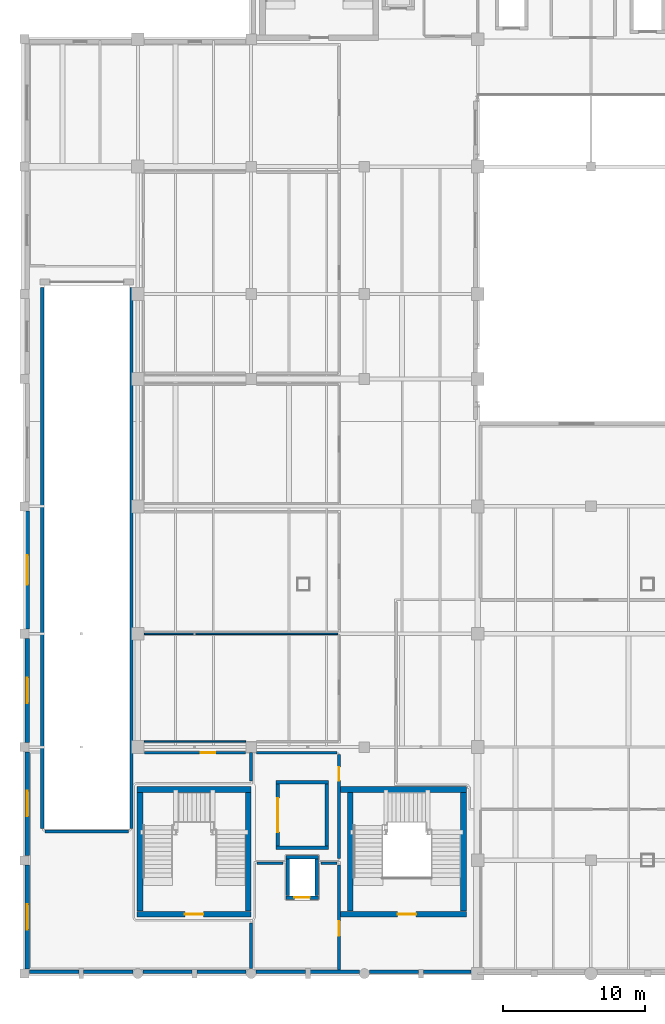
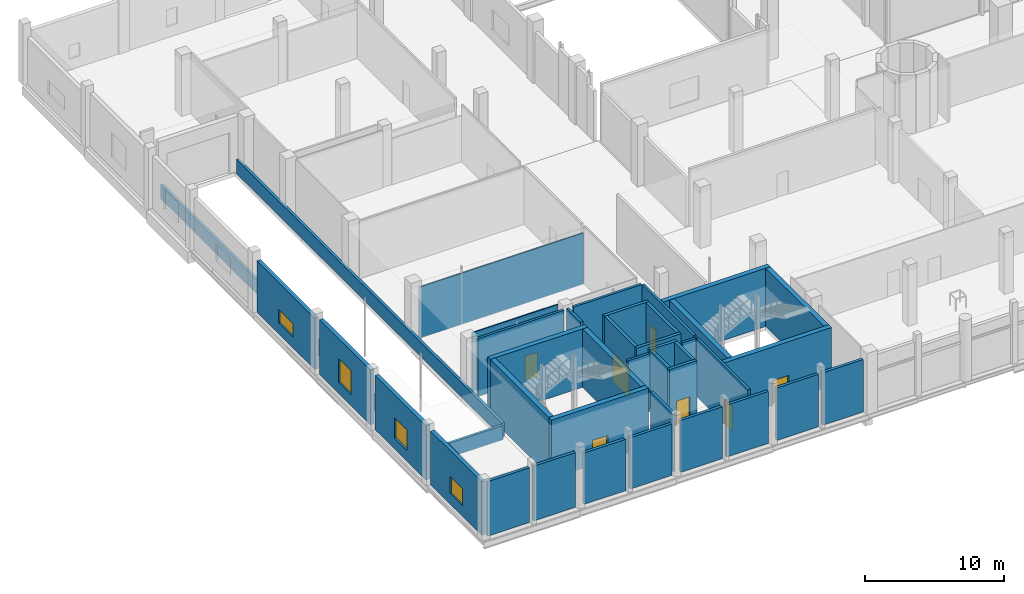
# One storey, part 37 of 57: 41 walls, 7 doors, 4 windows, 11 openings.
"""IFC4 building model written with IfcOpenShell, lengths in metres."""

from ifc_helpers import new_model, si_unit, derived_unit, direction, frame, frame_2d, origin, place, context, subcontext, project, spatial, rectangle, extrude, material, layer, layer_set, type_object, element, fill, save


model = new_model("IFC4")

# Units and contexts
model_context = context("Model", 3, precision=1e-05, world=origin(), true_north=direction((0.0, 1.0)))
body_context = subcontext(model_context, "Body", "Model", "MODEL_VIEW")
ifc_project = project(units=[si_unit("LENGTHUNIT", "METRE"), si_unit("AREAUNIT", "SQUARE_METRE"), si_unit("VOLUMEUNIT", "CUBIC_METRE"), si_unit("PLANEANGLEUNIT", "RADIAN"), si_unit("MASSUNIT", "GRAM", prefix="KILO"), derived_unit("THERMALTRANSMITTANCEUNIT", [(si_unit("POWERUNIT", "WATT"), 1), (si_unit("LENGTHUNIT", "METRE"), -2), (si_unit("THERMODYNAMICTEMPERATUREUNIT", "KELVIN"), -1)])], contexts=[model_context])

# Site, building, storey
site_placement = place(None, origin())
site = spatial("IfcSite", under=ifc_project, at=site_placement, CompositionType="ELEMENT")
building_placement = place(site_placement, origin())
building = spatial("IfcBuilding", under=site, at=building_placement, Name="Nallur Shell Playhouse", CompositionType="ELEMENT")
storey_placement = place(building_placement, origin())
storey = spatial("IfcBuildingStorey", under=building, at=storey_placement, Name="L01", CompositionType="ELEMENT", Elevation=0.0)

# Wall, opening, door
ifc_material_1 = material(Name="Concrete M45", Category="concrete")
ifc_layer_1 = layer(ifc_material_1, 0.39990234375)
ifc_layer_set_1 = layer_set([ifc_layer_1], Name="Concrete M45")
wall_type_1 = type_object("IfcWallType", Name="WL-CORE-400", PredefinedType="SHEAR", material=ifc_layer_set_1)
wall_1_placement = place(storey_placement, frame((30.303955078125, 12.199951171875, 0.0), z_axis=(0.0, 0.0, 1.0), x_axis=(1.0, 0.0, 0.0)))
wall_1 = element("IfcWall", 1, at=wall_1_placement, inside=storey, type_object=wall_type_1, Name="Joint Core JC-1 shear wall S (L01)", PredefinedType="SHEAR", context=body_context, shape_type="SweptSolid", body=[
    extrude(rectangle(XDim=8.89599609375, YDim=0.39990234375, at=frame_2d((4.447998046875, 0.0))), origin(), (0.0, 0.0, 1.0), 5.1201171875),
])
opening_1_placement = place(wall_1_placement, frame((4.0458984375, 0.0, 0.0)))
opening_1 = element("IfcOpeningElement", 2, at=opening_1_placement, cuts=wall_1, Name="Opening FD-ST2", PredefinedType="OPENING", context=body_context, shape_type="SweptSolid", body=[
    extrude(rectangle(XDim=1.300048828125, YDim=2.14990234375, at=frame_2d((0.64990234375, 1.074951171875))), frame((0.0, 0.2099609375, 0.0), z_axis=(0.0, -1.0, 0.0), x_axis=(1.0, 0.0, 0.0)), (0.0, 0.0, 1.0), 0.419921875),
])
ifc_material_2 = material(Name="Galvanised Steel Fire-Rated Stair Door", Category="steel")
door_type_1 = type_object("IfcDoorType", Name="DR-INT-STAIR-R", OperationType="SINGLE_SWING_RIGHT", PredefinedType="DOOR", material=ifc_material_2)
door_1_placement = place(opening_1_placement, origin())
door_1 = element("IfcDoor", 3, at=door_1_placement, inside=storey, type_object=door_type_1, Name="Exit stair ST-01 fire door (L01)", OperationType="SINGLE_SWING_RIGHT", OverallHeight=2.14990234375, OverallWidth=1.300048828125, PredefinedType="DOOR", context=body_context, shape_type="SweptSolid", body=[
    extrude(rectangle(XDim=1.300048828125, YDim=2.14990234375, at=frame_2d((0.64990234375, 1.074951171875))), frame((0.0, 0.02490234375, 0.0), z_axis=(0.0, -1.0, 0.0), x_axis=(1.0, 0.0, 0.0)), (0.0, 0.0, 1.0), 0.050048828125),
])
fill(opening_1, door_1)

# Walls
wall_2_placement = place(storey_placement, frame((39.199951171875, 21.0, 0.0), z_axis=(0.0, 0.0, 1.0), x_axis=(-1.0, 0.0, 0.0)))
element("IfcWall", 4, at=wall_2_placement, inside=storey, type_object=wall_type_1, Name="Joint Core JC-1 shear wall N (L01)", PredefinedType="SHEAR", context=body_context, shape_type="SweptSolid", body=[
    extrude(rectangle(XDim=8.89599609375, YDim=0.39990234375, at=frame_2d((4.447998046875, 0.0))), origin(), (0.0, 0.0, 1.0), 5.1201171875),
])
for number, where, z_axis, x_axis, name in (
    (5, (39.0, 12.409912109375, 0.0), (0.0, 0.0, 1.0), (0.0, 1.0, 0.0), "Joint Core JC-1 shear wall E (L01)"),
    (6, (31.0, 20.7900390625, 0.0), (0.0, 0.0, 1.0), (0.0, -1.0, 0.0), "Joint Core JC-1 shear wall W (L01)"),
):
    element("IfcWall", number, at=place(storey_placement, frame(where, z_axis=z_axis, x_axis=x_axis)), inside=storey, type_object=wall_type_1, Name=name, PredefinedType="SHEAR", context=body_context, shape_type="SweptSolid", body=[
        extrude(rectangle(XDim=8.380126953125, YDim=0.39990234375, at=frame_2d((4.18994140625, 0.0))), origin(), (0.0, 0.0, 1.0), 5.1201171875),
    ])

# Wall, opening, door
wall_3_placement = place(storey_placement, frame((15.949951171875, 12.199951171875, 0.0), z_axis=(0.0, 0.0, 1.0), x_axis=(1.0, 0.0, 0.0)))
wall_3 = element("IfcWall", 7, at=wall_3_placement, inside=storey, type_object=wall_type_1, Name="Joint Core JC-7 shear wall S (L01)", PredefinedType="SHEAR", context=body_context, shape_type="SweptSolid", body=[
    extrude(rectangle(XDim=8.050048828125, YDim=0.39990234375, at=frame_2d((4.02490234375, 0.0))), origin(), (0.0, 0.0, 1.0), 5.1201171875),
])
opening_2_placement = place(wall_3_placement, frame((3.375, 0.0, 0.0)))
opening_2 = element("IfcOpeningElement", 8, at=opening_2_placement, cuts=wall_3, Name="Opening FD-ST1", PredefinedType="OPENING", context=body_context, shape_type="SweptSolid", body=[
    extrude(rectangle(XDim=1.300048828125, YDim=2.14990234375, at=frame_2d((0.64990234375, 1.074951171875))), frame((0.0, 0.2099609375, 0.0), z_axis=(0.0, -1.0, 0.0), x_axis=(1.0, 0.0, 0.0)), (0.0, 0.0, 1.0), 0.419921875),
])
door_type_2 = type_object("IfcDoorType", Name="DR-INT-STAIR-L", OperationType="SINGLE_SWING_LEFT", PredefinedType="DOOR", material=ifc_material_2)
door_2_placement = place(opening_2_placement, origin())
door_2 = element("IfcDoor", 9, at=door_2_placement, inside=storey, type_object=door_type_2, Name="Exit stair ST-07 fire door (L01)", OperationType="SINGLE_SWING_LEFT", OverallHeight=2.14990234375, OverallWidth=1.300048828125, PredefinedType="DOOR", context=body_context, shape_type="SweptSolid", body=[
    extrude(rectangle(XDim=1.300048828125, YDim=2.14990234375, at=frame_2d((0.64990234375, 1.074951171875))), frame((0.0, 0.02490234375, 0.0), z_axis=(0.0, -1.0, 0.0), x_axis=(1.0, 0.0, 0.0)), (0.0, 0.0, 1.0), 0.050048828125),
])
fill(opening_2, door_2)

# Walls
wall_4_placement = place(storey_placement, frame((24.0, 21.0, 0.0), z_axis=(0.0, 0.0, 1.0), x_axis=(-1.0, 0.0, 0.0)))
element("IfcWall", 10, at=wall_4_placement, inside=storey, type_object=wall_type_1, Name="Joint Core JC-7 shear wall N (L01)", PredefinedType="SHEAR", context=body_context, shape_type="SweptSolid", body=[
    extrude(rectangle(XDim=8.050048828125, YDim=0.39990234375, at=frame_2d((4.02490234375, 0.0))), origin(), (0.0, 0.0, 1.0), 5.1201171875),
])
for number, where, z_axis, x_axis, name in (
    (11, (23.800048828125, 12.409912109375, 0.0), (0.0, 0.0, 1.0), (0.0, 1.0, 0.0), "Joint Core JC-7 shear wall E (L01)"),
    (12, (16.14990234375, 20.7900390625, 0.0), (0.0, 0.0, 1.0), (0.0, -1.0, 0.0), "Joint Core JC-7 shear wall W (L01)"),
):
    element("IfcWall", number, at=place(storey_placement, frame(where, z_axis=z_axis, x_axis=x_axis)), inside=storey, type_object=wall_type_1, Name=name, PredefinedType="SHEAR", context=body_context, shape_type="SweptSolid", body=[
        extrude(rectangle(XDim=8.380126953125, YDim=0.39990234375, at=frame_2d((4.18994140625, 0.0))), origin(), (0.0, 0.0, 1.0), 5.1201171875),
    ])
ifc_material_3 = material(Name="Precast concrete M40", Category="concrete")
ifc_layer_2 = layer(ifc_material_3, 0.239990234375)
ifc_layer_set_2 = layer_set([ifc_layer_2], Name="Precast concrete M40")
wall_type_2 = type_object("IfcWallType", Name="WL-EXT-CLAD240", PredefinedType="ELEMENTEDWALL", material=ifc_layer_set_2)
wall_5_placement = place(storey_placement, frame((39.5419921875, 8.139892578125, 0.0), z_axis=(0.0, 0.0, 1.0), x_axis=(-1.0, 0.0, 0.0)))
element("IfcWall", 13, at=wall_5_placement, inside=storey, type_object=wall_type_2, Name="L01 exterior wall EW-L01-059", PredefinedType="ELEMENTEDWALL", context=body_context, shape_type="SweptSolid", body=[
    extrude(rectangle(XDim=3.369873046875, YDim=0.239990234375, at=frame_2d((1.68505859375, 0.0))), origin(), (0.0, 0.0, 1.0), 4.60498046875),
])
wall_6_placement = place(storey_placement, frame((35.827880859375, 8.139892578125, 0.0), z_axis=(0.0, 0.0, 1.0), x_axis=(-1.0, 0.0, 0.0)))
element("IfcWall", 14, at=wall_6_placement, inside=storey, type_object=wall_type_2, Name="L01 exterior wall EW-L01-060", PredefinedType="ELEMENTEDWALL", context=body_context, shape_type="SweptSolid", body=[
    extrude(rectangle(XDim=3.469970703125, YDim=0.239990234375, at=frame_2d((1.73486328125, 0.0))), origin(), (0.0, 0.0, 1.0), 4.60498046875),
])
for number, where, z_axis, x_axis, name in (
    (15, (31.64208984375, 8.139892578125, 0.0), (0.0, 0.0, 1.0), (-1.0, 0.0, 0.0), "L01 exterior wall EW-L01-061"),
    (16, (27.827880859375, 8.139892578125, 0.0), (0.0, 0.0, 1.0), (-1.0, 0.0, 0.0), "L01 exterior wall EW-L01-062"),
):
    element("IfcWall", number, at=place(storey_placement, frame(where, z_axis=z_axis, x_axis=x_axis)), inside=storey, type_object=wall_type_2, Name=name, PredefinedType="ELEMENTEDWALL", context=body_context, shape_type="SweptSolid", body=[
        extrude(rectangle(XDim=3.469970703125, YDim=0.239990234375, at=frame_2d((1.73486328125, 0.0))), origin(), (0.0, 0.0, 1.0), 4.554931640625),
    ])
for number, where, z_axis, x_axis, name in (
    (17, (23.64208984375, 8.139892578125, 0.0), (0.0, 0.0, 1.0), (-1.0, 0.0, 0.0), "L01 exterior wall EW-L01-063"),
    (18, (19.827880859375, 8.139892578125, 0.0), (0.0, 0.0, 1.0), (-1.0, 0.0, 0.0), "L01 exterior wall EW-L01-064"),
):
    element("IfcWall", number, at=place(storey_placement, frame(where, z_axis=z_axis, x_axis=x_axis)), inside=storey, type_object=wall_type_2, Name=name, PredefinedType="ELEMENTEDWALL", context=body_context, shape_type="SweptSolid", body=[
        extrude(rectangle(XDim=3.469970703125, YDim=0.239990234375, at=frame_2d((1.73486328125, 0.0))), origin(), (0.0, 0.0, 1.0), 4.5048828125),
    ])
wall_7_placement = place(storey_placement, frame((15.64208984375, 8.139892578125, 0.0), z_axis=(0.0, 0.0, 1.0), x_axis=(-1.0, 0.0, 0.0)))
element("IfcWall", 19, at=wall_7_placement, inside=storey, type_object=wall_type_2, Name="L01 exterior wall EW-L01-065", PredefinedType="ELEMENTEDWALL", context=body_context, shape_type="SweptSolid", body=[
    extrude(rectangle(XDim=3.469970703125, YDim=0.239990234375, at=frame_2d((1.73486328125, 0.0))), origin(), (0.0, 0.0, 1.0), 4.804931640625),
])
wall_8_placement = place(storey_placement, frame((11.827880859375, 8.139892578125, 0.0), z_axis=(0.0, 0.0, 1.0), x_axis=(-1.0, 0.0, 0.0)))
element("IfcWall", 20, at=wall_8_placement, inside=storey, type_object=wall_type_2, Name="L01 exterior wall EW-L01-066", PredefinedType="ELEMENTEDWALL", context=body_context, shape_type="SweptSolid", body=[
    extrude(rectangle(XDim=3.494873046875, YDim=0.239990234375, at=frame_2d((1.74755859375, 0.0))), origin(), (0.0, 0.0, 1.0), 4.804931640625),
])

# Wall, opening, window
ifc_material_4 = material(Name="Concrete M35", Category="concrete")
ifc_layer_3 = layer(ifc_material_4, 0.320068359375)
ifc_layer_set_3 = layer_set([ifc_layer_3], Name="Concrete M35")
wall_type_3 = type_object("IfcWallType", Name="WL-EXT-RC320", PredefinedType="STANDARD", material=ifc_layer_set_3)
wall_9_placement = place(storey_placement, frame((8.179931640625, 8.3330078125, 0.0), z_axis=(0.0, 0.0, 1.0), x_axis=(0.0, 1.0, 0.0)))
wall_9 = element("IfcWall", 21, at=wall_9_placement, inside=storey, type_object=wall_type_3, Name="L01 exterior wall EW-L01-067", PredefinedType="STANDARD", context=body_context, shape_type="SweptSolid", body=[
    extrude(rectangle(XDim=7.333984375, YDim=0.320068359375, at=frame_2d((3.6669921875, 0.0))), origin(), (0.0, 0.0, 1.0), 4.705078125),
])
opening_3_placement = place(wall_9_placement, frame((2.76708984375, 0.0, 0.949951171875)))
opening_3 = element("IfcOpeningElement", 22, at=opening_3_placement, cuts=wall_9, Name="Opening WN-22", PredefinedType="OPENING", context=body_context, shape_type="SweptSolid", body=[
    extrude(rectangle(XDim=1.800048828125, YDim=1.5, at=frame_2d((0.89990234375, 0.75))), frame((0.0, 0.169921875, 0.0), z_axis=(0.0, -1.0, 0.0), x_axis=(1.0, 0.0, 0.0)), (0.0, 0.0, 1.0), 0.340087890625),
])
ifc_material_5 = material(Name="Thermally Broken Aluminium Acoustic Double-Glazed Window", Category="aluminium")
window_type_1 = type_object("IfcWindowType", Name="WN-TYPE-22", PartitioningType="SINGLE_PANEL", PredefinedType="WINDOW", material=ifc_material_5)
window_1_placement = place(opening_3_placement, origin())
window_1 = element("IfcWindow", 23, at=window_1_placement, inside=storey, type_object=window_type_1, Name="L01 facade module window 022", OverallHeight=1.5, OverallWidth=1.800048828125, PartitioningType="SINGLE_PANEL", PredefinedType="WINDOW", context=body_context, shape_type="SweptSolid", body=[
    extrude(rectangle(XDim=1.800048828125, YDim=1.5, at=frame_2d((0.89990234375, 0.75))), frame((0.0, 0.030029296875, 0.0), z_axis=(0.0, -1.0, 0.0), x_axis=(1.0, 0.0, 0.0)), (0.0, 0.0, 1.0), 0.06005859375),
])
fill(opening_3, window_1)

wall_10_placement = place(storey_placement, frame((8.179931640625, 16.3330078125, 0.0), z_axis=(0.0, 0.0, 1.0), x_axis=(0.0, 1.0, 0.0)))
wall_10 = element("IfcWall", 24, at=wall_10_placement, inside=storey, type_object=wall_type_3, Name="L01 exterior wall EW-L01-068", PredefinedType="STANDARD", context=body_context, shape_type="SweptSolid", body=[
    extrude(rectangle(XDim=7.333984375, YDim=0.320068359375, at=frame_2d((3.6669921875, 0.0))), origin(), (0.0, 0.0, 1.0), 4.7548828125),
])
opening_4_placement = place(wall_10_placement, frame((2.76708984375, 0.0, 0.949951171875)))
opening_4 = element("IfcOpeningElement", 25, at=opening_4_placement, cuts=wall_10, Name="Opening WN-23", PredefinedType="OPENING", context=body_context, shape_type="SweptSolid", body=[
    extrude(rectangle(XDim=1.800048828125, YDim=1.800048828125, at=frame_2d((0.89990234375, 0.89990234375))), frame((0.0, 0.169921875, 0.0), z_axis=(0.0, -1.0, 0.0), x_axis=(1.0, 0.0, 0.0)), (0.0, 0.0, 1.0), 0.340087890625),
])
window_type_2 = type_object("IfcWindowType", Name="WN-TYPE-23", PartitioningType="SINGLE_PANEL", PredefinedType="WINDOW", material=ifc_material_5)
window_2_placement = place(opening_4_placement, origin())
window_2 = element("IfcWindow", 26, at=window_2_placement, inside=storey, type_object=window_type_2, Name="L01 facade module window 023", OverallHeight=1.800048828125, OverallWidth=1.800048828125, PartitioningType="SINGLE_PANEL", PredefinedType="WINDOW", context=body_context, shape_type="SweptSolid", body=[
    extrude(rectangle(XDim=1.800048828125, YDim=1.800048828125, at=frame_2d((0.89990234375, 0.89990234375))), frame((0.0, 0.030029296875, 0.0), z_axis=(0.0, -1.0, 0.0), x_axis=(1.0, 0.0, 0.0)), (0.0, 0.0, 1.0), 0.06005859375),
])
fill(opening_4, window_2)

wall_11_placement = place(storey_placement, frame((8.179931640625, 24.3330078125, 0.0), z_axis=(0.0, 0.0, 1.0), x_axis=(0.0, 1.0, 0.0)))
wall_11 = element("IfcWall", 27, at=wall_11_placement, inside=storey, type_object=wall_type_3, Name="L01 exterior wall EW-L01-069", PredefinedType="STANDARD", context=body_context, shape_type="SweptSolid", body=[
    extrude(rectangle(XDim=7.333984375, YDim=0.320068359375, at=frame_2d((3.6669921875, 0.0))), origin(), (0.0, 0.0, 1.0), 4.804931640625),
])
opening_5_placement = place(wall_11_placement, frame((2.76708984375, 0.0, 0.949951171875)))
opening_5 = element("IfcOpeningElement", 28, at=opening_5_placement, cuts=wall_11, Name="Opening WN-24", PredefinedType="OPENING", context=body_context, shape_type="SweptSolid", body=[
    extrude(rectangle(XDim=1.800048828125, YDim=2.10009765625, at=frame_2d((0.89990234375, 1.050048828125))), frame((0.0, 0.169921875, 0.0), z_axis=(0.0, -1.0, 0.0), x_axis=(1.0, 0.0, 0.0)), (0.0, 0.0, 1.0), 0.340087890625),
])
window_type_3 = type_object("IfcWindowType", Name="WN-TYPE-24", PartitioningType="SINGLE_PANEL", PredefinedType="WINDOW", material=ifc_material_5)
window_3_placement = place(opening_5_placement, origin())
window_3 = element("IfcWindow", 29, at=window_3_placement, inside=storey, type_object=window_type_3, Name="L01 facade module window 024", OverallHeight=2.10009765625, OverallWidth=1.800048828125, PartitioningType="SINGLE_PANEL", PredefinedType="WINDOW", context=body_context, shape_type="SweptSolid", body=[
    extrude(rectangle(XDim=1.800048828125, YDim=2.10009765625, at=frame_2d((0.89990234375, 1.050048828125))), frame((0.0, 0.030029296875, 0.0), z_axis=(0.0, -1.0, 0.0), x_axis=(1.0, 0.0, 0.0)), (0.0, 0.0, 1.0), 0.06005859375),
])
fill(opening_5, window_3)

wall_12_placement = place(storey_placement, frame((8.179931640625, 32.3330078125, 0.0), z_axis=(0.0, 0.0, 1.0), x_axis=(0.0, 1.0, 0.0)))
wall_12 = element("IfcWall", 30, at=wall_12_placement, inside=storey, type_object=wall_type_3, Name="L01 exterior wall EW-L01-070", PredefinedType="STANDARD", context=body_context, shape_type="SweptSolid", body=[
    extrude(rectangle(XDim=8.333984375, YDim=0.320068359375, at=frame_2d((4.1669921875, 0.0))), origin(), (0.0, 0.0, 1.0), 4.5048828125),
])
opening_6_placement = place(wall_12_placement, frame((3.116943359375, 0.0, 0.949951171875)))
opening_6 = element("IfcOpeningElement", 31, at=opening_6_placement, cuts=wall_12, Name="Opening WN-25", PredefinedType="OPENING", context=body_context, shape_type="SweptSolid", body=[
    extrude(rectangle(XDim=2.10009765625, YDim=1.199951171875, at=frame_2d((1.050048828125, 0.60009765625))), frame((0.0, 0.169921875, 0.0), z_axis=(0.0, -1.0, 0.0), x_axis=(1.0, 0.0, 0.0)), (0.0, 0.0, 1.0), 0.340087890625),
])
window_type_4 = type_object("IfcWindowType", Name="WN-TYPE-25", PartitioningType="SINGLE_PANEL", PredefinedType="LIGHTDOME", material=ifc_material_5)
window_4_placement = place(opening_6_placement, origin())
window_4 = element("IfcWindow", 32, at=window_4_placement, inside=storey, type_object=window_type_4, Name="L01 facade module window 025", OverallHeight=1.199951171875, OverallWidth=2.10009765625, PartitioningType="SINGLE_PANEL", PredefinedType="LIGHTDOME", context=body_context, shape_type="SweptSolid", body=[
    extrude(rectangle(XDim=2.10009765625, YDim=1.199951171875, at=frame_2d((1.050048828125, 0.60009765625))), frame((0.0, 0.030029296875, 0.0), z_axis=(0.0, -1.0, 0.0), x_axis=(1.0, 0.0, 0.0)), (0.0, 0.0, 1.0), 0.06005859375),
])
fill(opening_6, window_4)

# Walls
ifc_layer_4 = layer(ifc_material_4, 0.219970703125)
ifc_layer_set_4 = layer_set([ifc_layer_4], Name="Concrete M35")
wall_type_4 = type_object("IfcWallType", Name="WL-PARAPET-220", PredefinedType="PARAPET", material=ifc_layer_set_4)
for number, where, z_axis, x_axis, name in (
    (33, (9.25, 18.25, 0.0), (0.0, 0.0, 1.0), (0.0, 1.0, 0.0), "L01 vehicular ramp void parapet wall PAR-L01-VRAMP-W"),
    (34, (15.550048828125, 18.25, 0.0), (0.0, 0.0, 1.0), (0.0, 1.0, 0.0), "L01 vehicular ramp void parapet wall PAR-L01-VRAMP-E"),
):
    element("IfcWall", number, at=place(storey_placement, frame(where, z_axis=z_axis, x_axis=x_axis)), inside=storey, type_object=wall_type_4, Name=name, PredefinedType="PARAPET", context=body_context, shape_type="SweptSolid", body=[
        extrude(rectangle(XDim=38.199951171875, YDim=0.219970703125, at=frame_2d((19.10009765625, 0.0))), origin(), (0.0, 0.0, 1.0), 1.25),
    ])
wall_13_placement = place(storey_placement, frame((9.449951171875, 18.050048828125, 0.0), z_axis=(0.0, 0.0, 1.0), x_axis=(1.0, 0.0, 0.0)))
element("IfcWall", 35, at=wall_13_placement, inside=storey, type_object=wall_type_4, Name="L01 vehicular ramp void parapet wall PAR-L01-VRAMP-S", PredefinedType="PARAPET", context=body_context, shape_type="SweptSolid", body=[
    extrude(rectangle(XDim=5.900146484375, YDim=0.219970703125, at=frame_2d((2.9501953125, 0.0))), origin(), (0.0, 0.0, 1.0), 1.25),
])
ifc_material_6 = material(Name="Concrete M30", Category="concrete")
ifc_layer_5 = layer(ifc_material_6, 0.199951171875)
ifc_layer_set_5 = layer_set([ifc_layer_5], Name="Concrete M30")
wall_type_5 = type_object("IfcWallType", Name="WL-PART-AC200", PredefinedType="PARTITIONING", material=ifc_layer_set_5)
wall_14_placement = place(storey_placement, frame((24.0, 11.580078125, 0.0), z_axis=(0.0, 0.0, 1.0), x_axis=(0.0, -1.0, 0.0)))
element("IfcWall", 36, at=wall_14_placement, inside=storey, type_object=wall_type_5, Name="Stage Door Security & Artist Reception partition IW-L01-0074", PredefinedType="PARTITIONING", context=body_context, shape_type="SweptSolid", body=[
    extrude(rectangle(XDim=3.22607421875, YDim=0.199951171875, at=frame_2d((1.613037109375, 0.0))), origin(), (0.0, 0.0, 1.0), 5.110107421875),
])

# Wall, opening, door
wall_15_placement = place(storey_placement, frame((16.465087890625, 23.60009765625, 0.0), z_axis=(0.0, 0.0, 1.0), x_axis=(1.0, 0.0, 0.0)))
wall_15 = element("IfcWall", 37, at=wall_15_placement, inside=storey, type_object=wall_type_5, Name="Stage Door Security & Artist Reception partition IW-L01-0075", PredefinedType="PARTITIONING", context=body_context, shape_type="SweptSolid", body=[
    extrude(rectangle(XDim=7.14501953125, YDim=0.199951171875, at=frame_2d((3.572509765625, 0.0))), origin(), (0.0, 0.0, 1.0), 5.110107421875),
])
opening_7_placement = place(wall_15_placement, frame((3.9619140625, 0.0, 0.0)))
opening_7 = element("IfcOpeningElement", 38, at=opening_7_placement, cuts=wall_15, Name="Opening ID-01", PredefinedType="OPENING", context=body_context, shape_type="SweptSolid", body=[
    extrude(rectangle(XDim=1.050048828125, YDim=2.14990234375, at=frame_2d((0.52490234375, 1.074951171875))), frame((0.0, 0.10986328125, 0.0), z_axis=(0.0, -1.0, 0.0), x_axis=(1.0, 0.0, 0.0)), (0.0, 0.0, 1.0), 0.219970703125),
])
ifc_material_7 = material(Name="Solid-Core Engineered Timber Fire Door", Category="wood")
door_type_3 = type_object("IfcDoorType", Name="DR-INT-SGL1050L", OperationType="SINGLE_SWING_LEFT", PredefinedType="DOOR", material=ifc_material_7)
door_3_placement = place(opening_7_placement, origin())
door_3 = element("IfcDoor", 39, at=door_3_placement, inside=storey, type_object=door_type_3, Name="Stage Door Security & Artist Reception door 1", OperationType="SINGLE_SWING_LEFT", OverallHeight=2.14990234375, OverallWidth=1.050048828125, PredefinedType="DOOR", context=body_context, shape_type="SweptSolid", body=[
    extrude(rectangle(XDim=1.050048828125, YDim=2.14990234375, at=frame_2d((0.52490234375, 1.074951171875))), frame((0.0, 0.02490234375, 0.0), z_axis=(0.0, -1.0, 0.0), x_axis=(1.0, 0.0, 0.0)), (0.0, 0.0, 1.0), 0.050048828125),
])
fill(opening_7, door_3)

# Walls
wall_16_placement = place(storey_placement, frame((24.0, 23.62109375, 0.0), z_axis=(0.0, 0.0, 1.0), x_axis=(0.0, -1.0, 0.0)))
element("IfcWall", 40, at=wall_16_placement, inside=storey, type_object=wall_type_5, Name="Stage Door Security & Artist Reception partition IW-L01-0076", PredefinedType="PARTITIONING", context=body_context, shape_type="SweptSolid", body=[
    extrude(rectangle(XDim=2.0009765625, YDim=0.199951171875, at=frame_2d((1.00048828125, 0.0))), origin(), (0.0, 0.0, 1.0), 5.110107421875),
])
wall_17_placement = place(storey_placement, frame((24.419921875, 15.800048828125, 0.0), z_axis=(0.0, 0.0, 1.0), x_axis=(1.0, 0.0, 0.0)))
element("IfcWall", 41, at=wall_17_placement, inside=storey, type_object=wall_type_5, Name="First Aid & Medical Triage Room partition IW-L01-0077", PredefinedType="PARTITIONING", context=body_context, shape_type="SweptSolid", body=[
    extrude(rectangle(XDim=1.840087890625, YDim=0.199951171875, at=frame_2d((0.919921875, 0.0))), origin(), (0.0, 0.0, 1.0), 5.110107421875),
])
wall_18_placement = place(storey_placement, frame((28.93994140625, 15.800048828125, 0.0), z_axis=(0.0, 0.0, 1.0), x_axis=(1.0, 0.0, 0.0)))
element("IfcWall", 42, at=wall_18_placement, inside=storey, type_object=wall_type_5, Name="First Aid & Medical Triage Room partition IW-L01-0078", PredefinedType="PARTITIONING", context=body_context, shape_type="SweptSolid", body=[
    extrude(rectangle(XDim=1.14013671875, YDim=0.199951171875, at=frame_2d((0.570068359375, 0.0))), origin(), (0.0, 0.0, 1.0), 5.110107421875),
])

# Wall, opening, door
wall_19_placement = place(storey_placement, frame((30.199951171875, 15.679931640625, 0.0), z_axis=(0.0, 0.0, 1.0), x_axis=(0.0, -1.0, 0.0)))
wall_19 = element("IfcWall", 43, at=wall_19_placement, inside=storey, type_object=wall_type_5, Name="First Aid & Medical Triage Room partition IW-L01-0079", PredefinedType="PARTITIONING", context=body_context, shape_type="SweptSolid", body=[
    extrude(rectangle(XDim=7.416015625, YDim=0.199951171875, at=frame_2d((3.7080078125, 0.0))), origin(), (0.0, 0.0, 1.0), 5.110107421875),
])
opening_8_placement = place(wall_19_placement, frame((3.971923828125, 0.0, 0.0)))
opening_8 = element("IfcOpeningElement", 44, at=opening_8_placement, cuts=wall_19, Name="Opening ID-02", PredefinedType="OPENING", context=body_context, shape_type="SweptSolid", body=[
    extrude(rectangle(XDim=1.050048828125, YDim=2.14990234375, at=frame_2d((0.52490234375, 1.074951171875))), frame((0.0, 0.10986328125, 0.0), z_axis=(0.0, -1.0, 0.0), x_axis=(1.0, 0.0, 0.0)), (0.0, 0.0, 1.0), 0.219970703125),
])
door_type_4 = type_object("IfcDoorType", Name="DR-INT-SGL1050R", OperationType="SINGLE_SWING_RIGHT", PredefinedType="DOOR", material=ifc_material_7)
door_4_placement = place(opening_8_placement, origin())
door_4 = element("IfcDoor", 45, at=door_4_placement, inside=storey, type_object=door_type_4, Name="First Aid & Medical Triage Room door 1", OperationType="SINGLE_SWING_RIGHT", OverallHeight=2.14990234375, OverallWidth=1.050048828125, PredefinedType="DOOR", context=body_context, shape_type="SweptSolid", body=[
    extrude(rectangle(XDim=1.050048828125, YDim=2.14990234375, at=frame_2d((0.52490234375, 1.074951171875))), frame((0.0, 0.02490234375, 0.0), z_axis=(0.0, -1.0, 0.0), x_axis=(1.0, 0.0, 0.0)), (0.0, 0.0, 1.0), 0.050048828125),
])
fill(opening_8, door_4)

# Wall
wall_20_placement = place(storey_placement, frame((24.389892578125, 23.60009765625, 0.0), z_axis=(0.0, 0.0, 1.0), x_axis=(1.0, 0.0, 0.0)))
element("IfcWall", 46, at=wall_20_placement, inside=storey, type_object=wall_type_5, Name="Fire Command Room partition IW-L01-0080", PredefinedType="PARTITIONING", context=body_context, shape_type="SweptSolid", body=[
    extrude(rectangle(XDim=5.690185546875, YDim=0.199951171875, at=frame_2d((2.84521484375, 0.0))), origin(), (0.0, 0.0, 1.0), 5.110107421875),
])

# Wall, opening, door
wall_21_placement = place(storey_placement, frame((30.199951171875, 23.47998046875, 0.0), z_axis=(0.0, 0.0, 1.0), x_axis=(0.0, -1.0, 0.0)))
wall_21 = element("IfcWall", 47, at=wall_21_placement, inside=storey, type_object=wall_type_5, Name="Fire Command Room partition IW-L01-0081", PredefinedType="PARTITIONING", context=body_context, shape_type="SweptSolid", body=[
    extrude(rectangle(XDim=7.35986328125, YDim=0.199951171875, at=frame_2d((3.679931640625, 0.0))), origin(), (0.0, 0.0, 1.0), 5.110107421875),
])
opening_9_placement = place(wall_21_placement, frame((0.89697265625, 0.0, 0.0)))
opening_9 = element("IfcOpeningElement", 48, at=opening_9_placement, cuts=wall_21, Name="Opening ID-03", PredefinedType="OPENING", context=body_context, shape_type="SweptSolid", body=[
    extrude(rectangle(XDim=0.949951171875, YDim=2.14990234375, at=frame_2d((0.47509765625, 1.074951171875))), frame((0.0, 0.10986328125, 0.0), z_axis=(0.0, -1.0, 0.0), x_axis=(1.0, 0.0, 0.0)), (0.0, 0.0, 1.0), 0.219970703125),
])
ifc_material_8 = material(Name="Solid-Core Engineered Timber Door", Category="wood")
door_type_5 = type_object("IfcDoorType", Name="DR-INT-SGL950L", OperationType="SINGLE_SWING_LEFT", PredefinedType="DOOR", material=ifc_material_8)
door_5_placement = place(opening_9_placement, origin())
door_5 = element("IfcDoor", 49, at=door_5_placement, inside=storey, type_object=door_type_5, Name="Fire Command Room door 1", OperationType="SINGLE_SWING_LEFT", OverallHeight=2.14990234375, OverallWidth=0.949951171875, PredefinedType="DOOR", context=body_context, shape_type="SweptSolid", body=[
    extrude(rectangle(XDim=0.949951171875, YDim=2.14990234375, at=frame_2d((0.47509765625, 1.074951171875))), frame((0.0, 0.02490234375, 0.0), z_axis=(0.0, -1.0, 0.0), x_axis=(1.0, 0.0, 0.0)), (0.0, 0.0, 1.0), 0.050048828125),
])
fill(opening_9, door_5)

# Walls
ifc_material_9 = material(Name="Double-Layer Fire-Rated Gypsum Stud Partition")
ifc_layer_6 = layer(ifc_material_9, 0.10009765625)
ifc_layer_set_6 = layer_set([ifc_layer_6], Name="Double-Layer Fire-Rated Gypsum Stud Partition")
wall_type_6 = type_object("IfcWallType", Name="WL-PART-DRY100", PredefinedType="PARTITIONING", material=ifc_layer_set_6)
wall_22_placement = place(storey_placement, frame((23.610107421875, 24.39990234375, 0.0), z_axis=(0.0, 0.0, 1.0), x_axis=(-1.0, 0.0, 0.0)))
element("IfcWall", 50, at=wall_22_placement, inside=storey, type_object=wall_type_6, Name="Principal Soloist Dressing Suite 01 partition IW-L01-0103", PredefinedType="PARTITIONING", context=body_context, shape_type="SweptSolid", body=[
    extrude(rectangle(XDim=7.14501953125, YDim=0.10009765625, at=frame_2d((3.572509765625, 0.0))), origin(), (0.0, 0.0, 1.0), 5.110107421875),
])
wall_23_placement = place(storey_placement, frame((16.465087890625, 32.0, 0.0), z_axis=(0.0, 0.0, 1.0), x_axis=(1.0, 0.0, 0.0)))
element("IfcWall", 51, at=wall_23_placement, inside=storey, type_object=wall_type_6, Name="Principal Soloist Dressing Suite 01 partition IW-L01-0104", PredefinedType="PARTITIONING", context=body_context, shape_type="SweptSolid", body=[
    extrude(rectangle(XDim=13.664794921875, YDim=0.10009765625, at=frame_2d((6.83251953125, 0.0))), origin(), (0.0, 0.0, 1.0), 4.5),
])

# Wall, opening, door
ifc_layer_7 = layer(ifc_material_1, 0.25)
ifc_layer_set_7 = layer_set([ifc_layer_7], Name="Concrete M45")
wall_type_7 = type_object("IfcWallType", Name="WL-SHAFT-250", PredefinedType="STANDARD", material=ifc_layer_set_7)
wall_24_placement = place(storey_placement, frame((26.449951171875, 13.375, 0.0), z_axis=(0.0, 0.0, 1.0), x_axis=(1.0, 0.0, 0.0)))
wall_24 = element("IfcWall", 52, at=wall_24_placement, inside=storey, type_object=wall_type_7, Name="Passenger Lift PL-1 shaft wall south (L01)", PredefinedType="STANDARD", context=body_context, shape_type="SweptSolid", body=[
    extrude(rectangle(XDim=2.300048828125, YDim=0.25, at=frame_2d((1.14990234375, 0.0))), origin(), (0.0, 0.0, 1.0), 5.110107421875),
])
opening_10_placement = place(wall_24_placement, frame((0.60009765625, 0.0, 0.0)))
opening_10 = element("IfcOpeningElement", 53, at=opening_10_placement, cuts=wall_24, Name="Opening LD-P1", PredefinedType="OPENING", context=body_context, shape_type="SweptSolid", body=[
    extrude(rectangle(XDim=1.10009765625, YDim=2.14990234375, at=frame_2d((0.550048828125, 1.074951171875))), frame((0.0, 0.135009765625, 0.0), z_axis=(0.0, -1.0, 0.0), x_axis=(1.0, 0.0, 0.0)), (0.0, 0.0, 1.0), 0.27001953125),
])
ifc_material_10 = material(Name="Brushed Stainless Steel Lift Landing Door", Category="steel")
door_type_6 = type_object("IfcDoorType", Name="DR-LIFT-PASS", OperationType="DOUBLE_DOOR_SLIDING", PredefinedType="DOOR", material=ifc_material_10)
door_6_placement = place(opening_10_placement, origin())
door_6 = element("IfcDoor", 54, at=door_6_placement, inside=storey, type_object=door_type_6, Name="Passenger Lift PL-1 sliding landing door (L01)", OperationType="DOUBLE_DOOR_SLIDING", OverallHeight=2.14990234375, OverallWidth=1.10009765625, PredefinedType="DOOR", context=body_context, shape_type="SweptSolid", body=[
    extrude(rectangle(XDim=1.10009765625, YDim=2.14990234375, at=frame_2d((0.550048828125, 1.074951171875))), frame((0.0, 0.02490234375, 0.0), z_axis=(0.0, -1.0, 0.0), x_axis=(1.0, 0.0, 0.0)), (0.0, 0.0, 1.0), 0.050048828125),
])
fill(opening_10, door_6)

# Walls
wall_25_placement = place(storey_placement, frame((28.75, 16.22509765625, 0.0), z_axis=(0.0, 0.0, 1.0), x_axis=(-1.0, 0.0, 0.0)))
element("IfcWall", 55, at=wall_25_placement, inside=storey, type_object=wall_type_7, Name="Passenger Lift PL-1 shaft wall north (L01)", PredefinedType="STANDARD", context=body_context, shape_type="SweptSolid", body=[
    extrude(rectangle(XDim=2.300048828125, YDim=0.25, at=frame_2d((1.14990234375, 0.0))), origin(), (0.0, 0.0, 1.0), 5.110107421875),
])
for number, where, z_axis, x_axis, name in (
    (56, (28.625, 13.510009765625, 0.0), (0.0, 0.0, 1.0), (0.0, 1.0, 0.0), "Passenger Lift PL-1 shaft wall east (L01)"),
    (57, (26.574951171875, 16.090087890625, 0.0), (0.0, 0.0, 1.0), (0.0, -1.0, 0.0), "Passenger Lift PL-1 shaft wall west (L01)"),
):
    element("IfcWall", number, at=place(storey_placement, frame(where, z_axis=z_axis, x_axis=x_axis)), inside=storey, type_object=wall_type_7, Name=name, PredefinedType="STANDARD", context=body_context, shape_type="SweptSolid", body=[
        extrude(rectangle(XDim=2.580078125, YDim=0.25, at=frame_2d((1.2900390625, 0.0))), origin(), (0.0, 0.0, 1.0), 5.110107421875),
    ])
for number, where, z_axis, x_axis, name in (
    (58, (25.75, 16.875, 0.0), (0.0, 0.0, 1.0), (1.0, 0.0, 0.0), "Scenery Freight Lift SL-1 shaft wall south (L01)"),
    (59, (29.449951171875, 21.52490234375, 0.0), (0.0, 0.0, 1.0), (-1.0, 0.0, 0.0), "Scenery Freight Lift SL-1 shaft wall north (L01)"),
):
    element("IfcWall", number, at=place(storey_placement, frame(where, z_axis=z_axis, x_axis=x_axis)), inside=storey, type_object=wall_type_7, Name=name, PredefinedType="STANDARD", context=body_context, shape_type="SweptSolid", body=[
        extrude(rectangle(XDim=3.699951171875, YDim=0.25, at=frame_2d((1.85009765625, 0.0))), origin(), (0.0, 0.0, 1.0), 5.110107421875),
    ])
wall_26_placement = place(storey_placement, frame((29.324951171875, 17.010009765625, 0.0), z_axis=(0.0, 0.0, 1.0), x_axis=(0.0, 1.0, 0.0)))
element("IfcWall", 60, at=wall_26_placement, inside=storey, type_object=wall_type_7, Name="Scenery Freight Lift SL-1 shaft wall east (L01)", PredefinedType="STANDARD", context=body_context, shape_type="SweptSolid", body=[
    extrude(rectangle(XDim=4.3798828125, YDim=0.25, at=frame_2d((2.18994140625, 0.0))), origin(), (0.0, 0.0, 1.0), 5.110107421875),
])

# Wall, opening, door
wall_27_placement = place(storey_placement, frame((25.875, 21.389892578125, 0.0), z_axis=(0.0, 0.0, 1.0), x_axis=(0.0, -1.0, 0.0)))
wall_27 = element("IfcWall", 61, at=wall_27_placement, inside=storey, type_object=wall_type_7, Name="Scenery Freight Lift SL-1 shaft wall west (L01)", PredefinedType="STANDARD", context=body_context, shape_type="SweptSolid", body=[
    extrude(rectangle(XDim=4.3798828125, YDim=0.25, at=frame_2d((2.18994140625, 0.0))), origin(), (0.0, 0.0, 1.0), 5.110107421875),
])
opening_11_placement = place(wall_27_placement, frame((0.989990234375, 0.0, 0.0)))
opening_11 = element("IfcOpeningElement", 62, at=opening_11_placement, cuts=wall_27, Name="Opening LD-S1", PredefinedType="OPENING", context=body_context, shape_type="SweptSolid", body=[
    extrude(rectangle(XDim=2.39990234375, YDim=2.550048828125, at=frame_2d((1.199951171875, 1.27490234375))), frame((0.0, 0.135009765625, 0.0), z_axis=(0.0, -1.0, 0.0), x_axis=(1.0, 0.0, 0.0)), (0.0, 0.0, 1.0), 0.27001953125),
])
ifc_material_11 = material(Name="Scenery Freight Lift Bi-Parting Landing Door")
door_type_7 = type_object("IfcDoorType", Name="DR-LIFT-SCEN", OperationType="DOUBLE_DOOR_SLIDING", PredefinedType="DOOR", material=ifc_material_11)
door_7_placement = place(opening_11_placement, origin())
door_7 = element("IfcDoor", 63, at=door_7_placement, inside=storey, type_object=door_type_7, Name="Scenery Freight Lift SL-1 sliding landing door (L01)", OperationType="DOUBLE_DOOR_SLIDING", OverallHeight=2.550048828125, OverallWidth=2.39990234375, PredefinedType="DOOR", context=body_context, shape_type="SweptSolid", body=[
    extrude(rectangle(XDim=2.39990234375, YDim=2.550048828125, at=frame_2d((1.199951171875, 1.27490234375))), frame((0.0, 0.02490234375, 0.0), z_axis=(0.0, -1.0, 0.0), x_axis=(1.0, 0.0, 0.0)), (0.0, 0.0, 1.0), 0.050048828125),
])
fill(opening_11, door_7)

save(model, "model.ifc")
